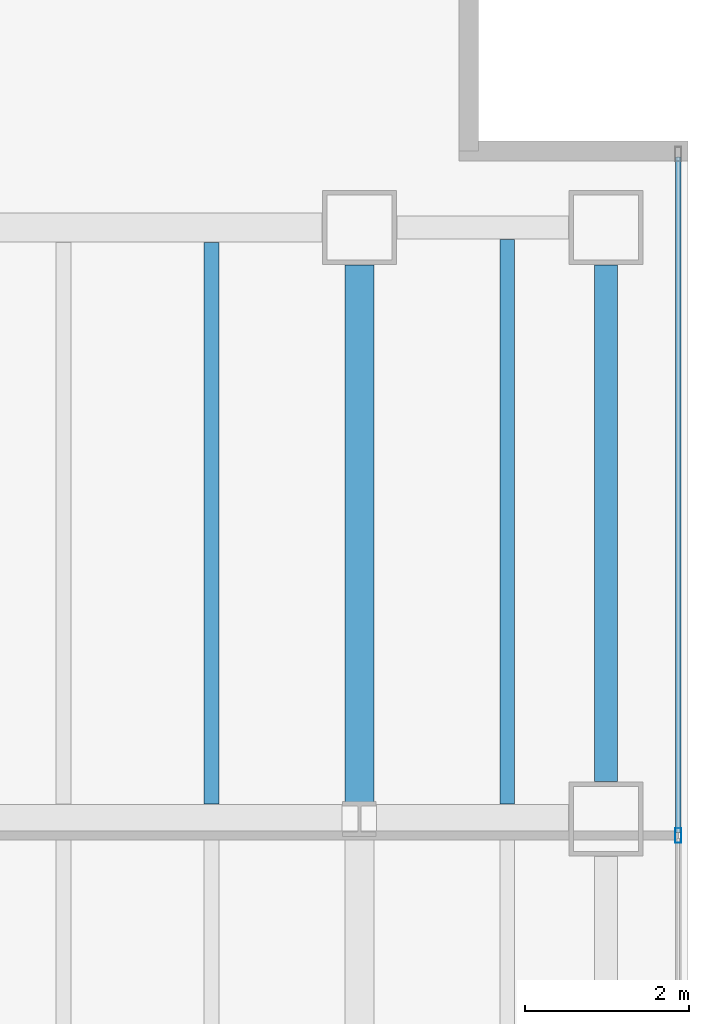
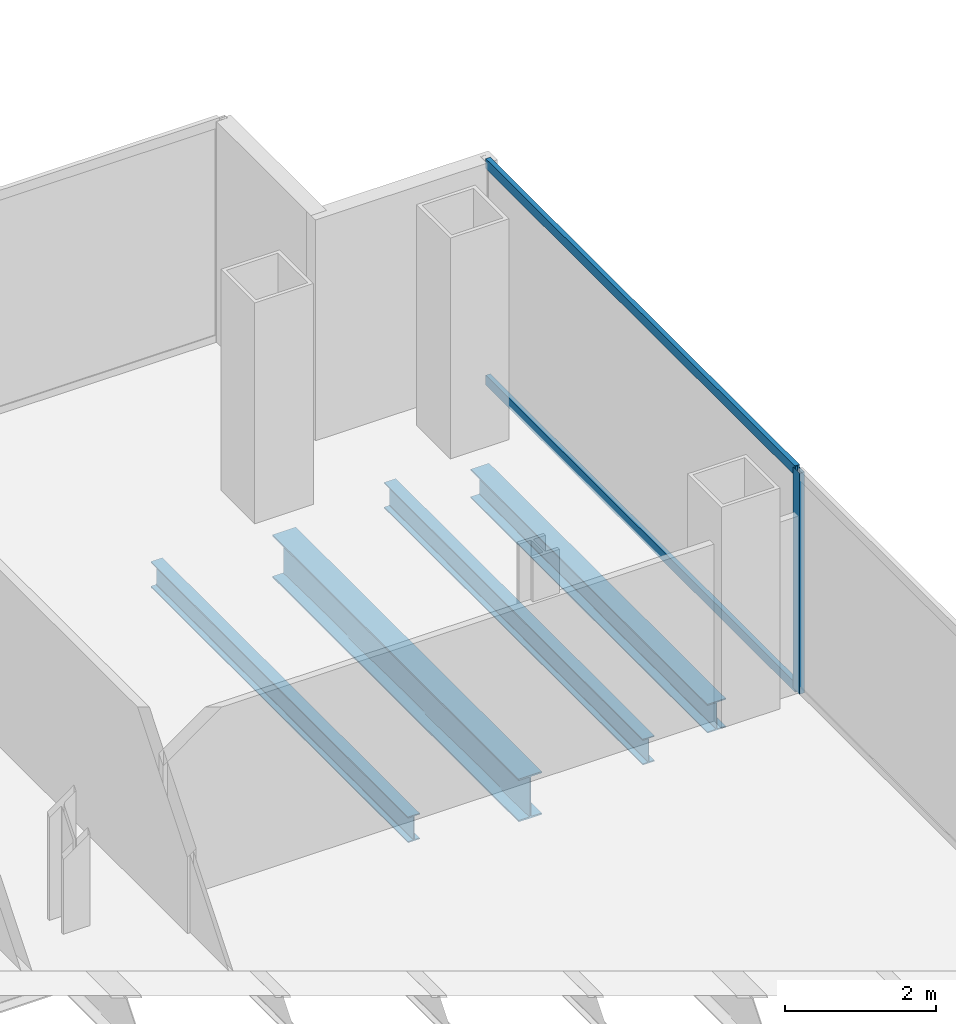
# One storey, part 13 of 23: 4 beams, 3 members, 1 element without a shape of its own.
"""IFC4 building model written with IfcOpenShell, lengths in metres."""

import ifcopenshell
import ifcopenshell.guid

model = None  # the IFC model being written
_history = None  # IfcOwnerHistory: only IFC2X3 demands one
_inside = {}  # id of a spatial element -> (the spatial element, [elements in it])
_under = {}  # id of a project, library or spatial element -> (it, [spatial elements below it])
_declared = {}  # id of a project -> (the project, [libraries it declares])
_typed = {}  # id of a type object -> (the type object, [elements of that type])
_made_of = {}  # id of a material, layer set ... -> (it, [elements and type objects made of it])


def new_model(schema):
    """Start an empty IFC model of exactly this schema.

    Asked for "IFC4X3", IfcOpenShell would pick the latest addendum, in which some entities
    have other attributes; the version numbers below select the first issue.
    IFC2X3 requires an IfcOwnerHistory on every rooted entity: one is made here for all.
    """
    global model, _history
    if schema == "IFC4X3":
        model = ifcopenshell.file(schema_version=(4, 3, 0, 0))
    else:
        model = ifcopenshell.file(schema=schema)
    _inside.clear()
    _under.clear()
    _declared.clear()
    _typed.clear()
    _made_of.clear()
    _history = None
    if model.schema == "IFC2X3":
        org = make("IfcOrganization", Name="unknown")
        user = make(
            "IfcPersonAndOrganization",
            ThePerson=make("IfcPerson", FamilyName="unknown"),
            TheOrganization=org,
        )
        app = make(
            "IfcApplication",
            ApplicationDeveloper=org,
            Version="unknown",
            ApplicationFullName="unknown",
            ApplicationIdentifier="unknown",
        )
        _history = make(
            "IfcOwnerHistory",
            OwningUser=user,
            OwningApplication=app,
            ChangeAction="ADDED",
            CreationDate=0,
        )
    return model


def make(cls, **values):
    """One entity of the class cls with the attributes given. An attribute that is None is left unset."""
    return model.create_entity(
        cls, **{name: value for name, value in values.items() if value is not None}
    )


def rooted(cls, **values):
    """An entity with a GlobalId (a new one), such as an element, a storey or a relation."""
    return make(cls, GlobalId=ifcopenshell.guid.new(), OwnerHistory=_history, **values)


def si_unit(unit_type, name, prefix=None):
    """IfcSIUnit, for example si_unit("LENGTHUNIT", "METRE", prefix="MILLI")."""
    return make("IfcSIUnit", UnitType=unit_type, Prefix=prefix, Name=name)


def assignment(units):
    """IfcUnitAssignment: the units of a project."""
    return None if units is None else make("IfcUnitAssignment", Units=units)


def point(xyz):
    """IfcCartesianPoint."""
    return None if xyz is None else make("IfcCartesianPoint", Coordinates=xyz)


def direction(xyz):
    """IfcDirection."""
    return None if xyz is None else make("IfcDirection", DirectionRatios=xyz)


def frame(location, z_axis=None, x_axis=None):
    """IfcAxis2Placement3D, a coordinate frame: its origin and axes. An axis left out is left unset."""
    return make(
        "IfcAxis2Placement3D",
        Location=point(location),
        Axis=direction(z_axis),
        RefDirection=direction(x_axis),
    )


def frame_2d(location, x_axis=None):
    """IfcAxis2Placement2D, a coordinate frame in the plane: its origin and x axis."""
    return make(
        "IfcAxis2Placement2D", Location=point(location), RefDirection=direction(x_axis)
    )


def origin():
    """The frame at (0, 0, 0) with its axes left unset."""
    return frame((0.0, 0.0, 0.0))


def origin_2d():
    """The frame at (0, 0) in the plane with its x axis left unset."""
    return frame_2d((0.0, 0.0))


def place(relative_to, where):
    """IfcLocalPlacement: puts the frame where relative to a parent placement (None: the world)."""
    return make(
        "IfcLocalPlacement", PlacementRelTo=relative_to, RelativePlacement=where
    )


def context(
    kind, dimensions, precision=None, world=None, true_north=None, identifier=None
):
    """IfcGeometricRepresentationContext, for example the 3D "Model" context."""
    return make(
        "IfcGeometricRepresentationContext",
        ContextIdentifier=identifier,
        ContextType=kind,
        CoordinateSpaceDimension=dimensions,
        Precision=precision,
        WorldCoordinateSystem=world,
        TrueNorth=true_north,
    )


def subcontext(parent, identifier, kind, view, scale=None):
    """IfcGeometricRepresentationSubContext, for example "Body" below "Model"."""
    return make(
        "IfcGeometricRepresentationSubContext",
        ContextIdentifier=identifier,
        ContextType=kind,
        ParentContext=parent,
        TargetScale=scale,
        TargetView=view,
    )


def project(units=None, contexts=None):
    """IfcProject with its units and contexts."""
    return rooted(
        "IfcProject",
        Name="project",
        RepresentationContexts=contexts,
        UnitsInContext=assignment(units),
    )


def spatial(cls, under=None, at=None, **own):
    """A site, building, storey or space (cls), placed at a placement, below another one or the project."""
    s = rooted(cls, ObjectPlacement=at, **own)
    if under is not None:
        _under.setdefault(under.id(), (under, []))[1].append(s)
    return s


def profile(cls, at=None, kind="AREA", **sizes):
    """A parametric profile (cls). Its sizes go by their IFC names, for example OverallWidth=200.0."""
    return make(cls, ProfileType=kind, Position=at, **sizes)


def hollow_rectangle(**sizes):
    """IfcRectangleHollowProfileDef."""
    return profile("IfcRectangleHollowProfileDef", **sizes)


def i_section(**sizes):
    """IfcIShapeProfileDef."""
    return profile("IfcIShapeProfileDef", **sizes)


def extrude(swept, where, along, depth):
    """IfcExtrudedAreaSolid: the profile swept, set in the frame where, extruded along a direction by depth."""
    return make(
        "IfcExtrudedAreaSolid",
        SweptArea=swept,
        Position=where,
        ExtrudedDirection=direction(along),
        Depth=depth,
    )


def shape(context_of_items, identifier, shape_type, items):
    """IfcShapeRepresentation: the items that make up one representation, for example the "Body"."""
    return make(
        "IfcShapeRepresentation",
        ContextOfItems=context_of_items,
        RepresentationIdentifier=identifier,
        RepresentationType=shape_type,
        Items=items,
    )


def material(Name=None, Category=None):
    """IfcMaterial."""
    return make("IfcMaterial", Name=Name, Category=Category)


def material_profile(
    of_material, cross_section, Name=None, Category=None, Priority=None
):
    """IfcMaterialProfile: a cross section and its material."""
    return make(
        "IfcMaterialProfile",
        Name=Name,
        Material=of_material,
        Profile=cross_section,
        Priority=Priority,
        Category=Category,
    )


def profile_set(profiles, Name=None, composite=None):
    """IfcMaterialProfileSet."""
    return make(
        "IfcMaterialProfileSet",
        Name=Name,
        MaterialProfiles=profiles,
        CompositeProfile=composite,
    )


def made_of(thing, what):
    """Note that an element or type object is made of a material, layer set ...; save() writes the relation."""
    if what is not None:
        _made_of.setdefault(what.id(), (what, []))[1].append(thing)
    return thing


def type_object(cls, material=None, **own):
    """A type object (cls), such as IfcWallType, which elements share."""
    return made_of(rooted(cls, **own), material)


def element(
    cls,
    number,
    at=None,
    inside=None,
    cuts=None,
    type_object=None,
    material=None,
    context=None,
    identifier="Body",
    shape_type=None,
    held_by="IfcProductDefinitionShape",
    body=None,
    shapes=None,
    **own,
):
    """One element of the class cls, such as IfcWall. Its Tag is "e" and its number.

    at: its placement. inside: the storey or other place that contains it. cuts: it is an
    opening in that element (IfcRelVoidsElement). A single representation is given by context,
    identifier, shape_type and body (its items); several are given by shapes. held_by: the class
    of the entity that holds the representations. save() writes the other relations.
    """
    e = rooted(cls, Tag="e%d" % number, ObjectPlacement=at, **own)
    if body is not None:
        shapes = [shape(context, identifier, shape_type, body)]
    if shapes is not None:
        e.Representation = make(held_by, Representations=shapes)
    if inside is not None:
        _inside.setdefault(inside.id(), (inside, []))[1].append(e)
    if cuts is not None:
        rooted(
            "IfcRelVoidsElement", RelatingBuildingElement=cuts, RelatedOpeningElement=e
        )
    if type_object is not None:
        _typed.setdefault(type_object.id(), (type_object, []))[1].append(e)
    return made_of(e, material)


def aggregate(whole, parts):
    """IfcRelAggregates: a whole, such as a stair, and the parts it consists of."""
    return rooted("IfcRelAggregates", RelatingObject=whole, RelatedObjects=parts)


def save(model, path):
    """Write the relations noted so far, then the file.

    IfcRelAggregates (storeys below a building ...), IfcRelContainedInSpatialStructure (elements
    in a storey), IfcRelDefinesByType, IfcRelAssociatesMaterial and IfcRelDeclares: one each for
    every whole, place, type object, material and project.
    """
    for whole, parts in _under.values():
        aggregate(whole, parts)
    for where, things in _inside.values():
        rooted(
            "IfcRelContainedInSpatialStructure",
            RelatedElements=things,
            RelatingStructure=where,
        )
    for kind, things in _typed.values():
        rooted("IfcRelDefinesByType", RelatedObjects=things, RelatingType=kind)
    for what, things in _made_of.values():
        rooted("IfcRelAssociatesMaterial", RelatedObjects=things, RelatingMaterial=what)
    for by, libraries in _declared.values():
        rooted("IfcRelDeclares", RelatingContext=by, RelatedDefinitions=libraries)
    model.write(path)


model = new_model("IFC4")

# Units and contexts
model_context = context("Model", 3, precision=1e-05, world=origin(), true_north=direction((0.0, 1.0)))
body_context = subcontext(model_context, "Body", "Model", "MODEL_VIEW")
ifc_project = project(units=[si_unit("LENGTHUNIT", "METRE"), si_unit("AREAUNIT", "SQUARE_METRE"), si_unit("VOLUMEUNIT", "CUBIC_METRE"), si_unit("PLANEANGLEUNIT", "RADIAN"), si_unit("MASSUNIT", "GRAM", prefix="KILO")], contexts=[model_context])

# Site, building, storey
site_placement = place(None, origin())
site = spatial("IfcSite", under=ifc_project, at=site_placement, CompositionType="ELEMENT")
building_placement = place(site_placement, origin())
building = spatial("IfcBuilding", under=site, at=building_placement, Name="Cobrela Telecom Tower", CompositionType="ELEMENT")
storey_placement = place(building_placement, frame((0.0, 0.0, 133.0)))
storey = spatial("IfcBuildingStorey", under=building, at=storey_placement, Name="L33", CompositionType="ELEMENT", Elevation=133.0)

# Beams
ifc_material_1 = material(Name="Steel ASTM A992 Grade 50", Category="steel")
ifc_material_profile_1 = material_profile(ifc_material_1, i_section(OverallWidth=0.35595703125, OverallDepth=0.696044921875, WebThickness=0.015380859375, FlangeThickness=0.024658203125, FilletRadius=0.01806640625, at=origin_2d()), Name="W27X146")
ifc_profile_set_1 = profile_set([ifc_material_profile_1], Name="Steel ASTM A992 Grade 50")
beam_type_1 = type_object("IfcBeamType", Name="BM-GIRD-05", PredefinedType="USERDEFINED", material=ifc_profile_set_1)
beam_1_placement = place(storey_placement, frame((43.199951171875, 14.609619140625, -0.617919921875), z_axis=(0.0, 1.0, 0.0), x_axis=(-1.0, 0.0, 0.0)))
element("IfcBeam", 1, at=beam_1_placement, inside=storey, type_object=beam_type_1, Name="L33 Primary Girder Y54", ObjectType="GIRDER", PredefinedType="USERDEFINED", context=body_context, shape_type="SweptSolid", body=[
    extrude(i_section(OverallWidth=0.35595703125, OverallDepth=0.696044921875, WebThickness=0.015380859375, FlangeThickness=0.024658203125, FilletRadius=0.01806640625, at=origin_2d()), origin(), (0.0, 0.0, 1.0), 6.535400390625),
])
ifc_material_profile_2 = material_profile(ifc_material_1, i_section(OverallWidth=0.179931640625, OverallDepth=0.4169921875, WebThickness=0.010986328125, FlangeThickness=0.01806640625, FilletRadius=0.011962890625, at=origin_2d()), Name="W16X57")
ifc_profile_set_2 = profile_set([ifc_material_profile_2], Name="Steel ASTM A992 Grade 50")
beam_type_2 = type_object("IfcBeamType", Name="BM-JOIST-04", PredefinedType="JOIST", material=ifc_profile_set_2)
beam_2_placement = place(storey_placement, frame((41.39990234375, 14.5830078125, -0.478515625), z_axis=(0.0, 1.0, 0.0), x_axis=(-1.0, 0.0, 0.0)))
element("IfcBeam", 2, at=beam_2_placement, inside=storey, type_object=beam_type_2, Name="L33 Secondary Composite Floor Beam J38", PredefinedType="JOIST", context=body_context, shape_type="SweptSolid", body=[
    extrude(i_section(OverallWidth=0.179931640625, OverallDepth=0.4169921875, WebThickness=0.010986328125, FlangeThickness=0.01806640625, FilletRadius=0.011962890625, at=origin_2d()), origin(), (0.0, 0.0, 1.0), 6.833984375),
])
beam_3_placement = place(storey_placement, frame((45.0, 14.5830078125, -0.478515625), z_axis=(0.0, 1.0, 0.0), x_axis=(-1.0, 0.0, 0.0)))
element("IfcBeam", 3, at=beam_3_placement, inside=storey, type_object=beam_type_2, Name="L33 Secondary Composite Floor Beam J40", PredefinedType="JOIST", context=body_context, shape_type="SweptSolid", body=[
    extrude(i_section(OverallWidth=0.179931640625, OverallDepth=0.4169921875, WebThickness=0.010986328125, FlangeThickness=0.01806640625, FilletRadius=0.011962890625, at=origin_2d()), origin(), (0.0, 0.0, 1.0), 6.87109375),
])
ifc_material_profile_3 = material_profile(ifc_material_1, i_section(OverallWidth=0.281982421875, OverallDepth=0.467041015625, WebThickness=0.01220703125, FlangeThickness=0.01953125, FilletRadius=0.012939453125, at=origin_2d()), Name="W18X86")
ifc_profile_set_3 = profile_set([ifc_material_profile_3], Name="Steel ASTM A992 Grade 50")
beam_type_3 = type_object("IfcBeamType", Name="BM-SPAND-04", PredefinedType="SPANDREL", material=ifc_profile_set_3)
beam_4_placement = place(storey_placement, frame((46.199951171875, 14.85498046875, -0.50341796875), z_axis=(0.0, 1.0, 0.0), x_axis=(-1.0, 0.0, 0.0)))
element("IfcBeam", 4, at=beam_4_placement, inside=storey, type_object=beam_type_3, Name="L33 Perimeter Spandrel Y56", PredefinedType="SPANDREL", context=body_context, shape_type="SweptSolid", body=[
    extrude(i_section(OverallWidth=0.281982421875, OverallDepth=0.467041015625, WebThickness=0.01220703125, FlangeThickness=0.01953125, FilletRadius=0.012939453125, at=origin_2d()), origin(), (0.0, 0.0, 1.0), 6.2900390625),
])

# Curtain wall, members
ifc_material_2 = material(Name="Anodized Bronze Aluminium 6063-T6", Category="aluminium")
curtain_wall_type = type_object("IfcCurtainWallType", Name="CW-SYS-TEL", PredefinedType="USERDEFINED", material=ifc_material_2)
curtain_wall_placement = place(storey_placement, origin())
curtain_wall = element("IfcCurtainWall", 5, at=curtain_wall_placement, inside=storey, type_object=curtain_wall_type, Name="L33 Unitised Bronze Curtain Wall 14", ObjectType="UNITISED CURTAIN WALL", PredefinedType="USERDEFINED")
ifc_material_profile_4 = material_profile(ifc_material_2, hollow_rectangle(XDim=0.074951171875, YDim=0.179931640625, WallThickness=0.00390625, at=origin_2d()), Name="ALU 75x180x4")
ifc_profile_set_4 = profile_set([ifc_material_profile_4], Name="Anodized Bronze Aluminium 6063-T6")
member_type_1 = type_object("IfcMemberType", Name="CW-SYS-TEL-MUL", PredefinedType="MULLION", material=ifc_profile_set_4)
member_1_placement = place(storey_placement, frame((47.080078125, 14.199951171875, 0.0), z_axis=(0.0, 0.0, 1.0), x_axis=(1.0, 0.0, 0.0)))
member_1 = element("IfcMember", 6, at=member_1_placement, type_object=member_type_1, Name="CW-TEL mullion 2", PredefinedType="MULLION", context=body_context, shape_type="SweptSolid", body=[
    extrude(hollow_rectangle(XDim=0.074951171875, YDim=0.179931640625, WallThickness=0.00390625, at=origin_2d()), origin(), (0.0, 0.0, 1.0), 3.580078125),
])
ifc_material_profile_5 = material_profile(ifc_material_2, hollow_rectangle(XDim=0.070068359375, YDim=0.159912109375, WallThickness=0.00390625, at=origin_2d()), Name="ALU 70x160x4")
ifc_profile_set_5 = profile_set([ifc_material_profile_5], Name="Anodized Bronze Aluminium 6063-T6")
member_type_2 = type_object("IfcMemberType", Name="CW-SYS-TEL-TRN", PredefinedType="USERDEFINED", material=ifc_profile_set_5)
member_2_placement = place(storey_placement, frame((47.080078125, 22.455078125, 0.034912109375), z_axis=(0.0, -1.0, 0.0), x_axis=(1.0, 0.0, 0.0)))
member_2 = element("IfcMember", 7, at=member_2_placement, type_object=member_type_2, Name="CW-TEL transom 1.1", ObjectType="TRANSOM", PredefinedType="USERDEFINED", context=body_context, shape_type="SweptSolid", body=[
    extrude(hollow_rectangle(XDim=0.070068359375, YDim=0.159912109375, WallThickness=0.00390625, at=origin_2d()), origin(), (0.0, 0.0, 1.0), 8.217529296875),
])
member_3_placement = place(storey_placement, frame((47.080078125, 22.455078125, 3.544921875), z_axis=(0.0, -1.0, 0.0), x_axis=(1.0, 0.0, 0.0)))
member_3 = element("IfcMember", 8, at=member_3_placement, type_object=member_type_2, Name="CW-TEL transom 1.2", ObjectType="TRANSOM", PredefinedType="USERDEFINED", context=body_context, shape_type="SweptSolid", body=[
    extrude(hollow_rectangle(XDim=0.070068359375, YDim=0.159912109375, WallThickness=0.00390625, at=origin_2d()), origin(), (0.0, 0.0, 1.0), 8.217529296875),
])
aggregate(curtain_wall, [member_1, member_2, member_3])

save(model, "model.ifc")
